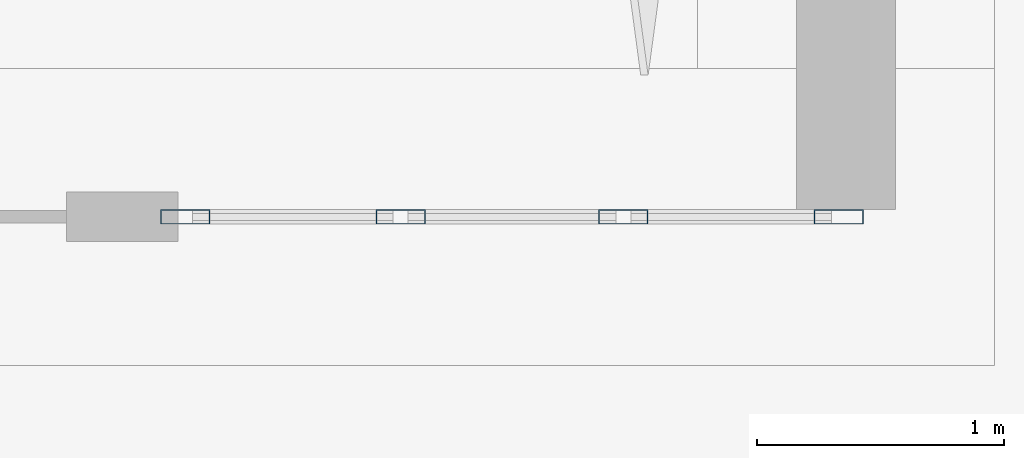
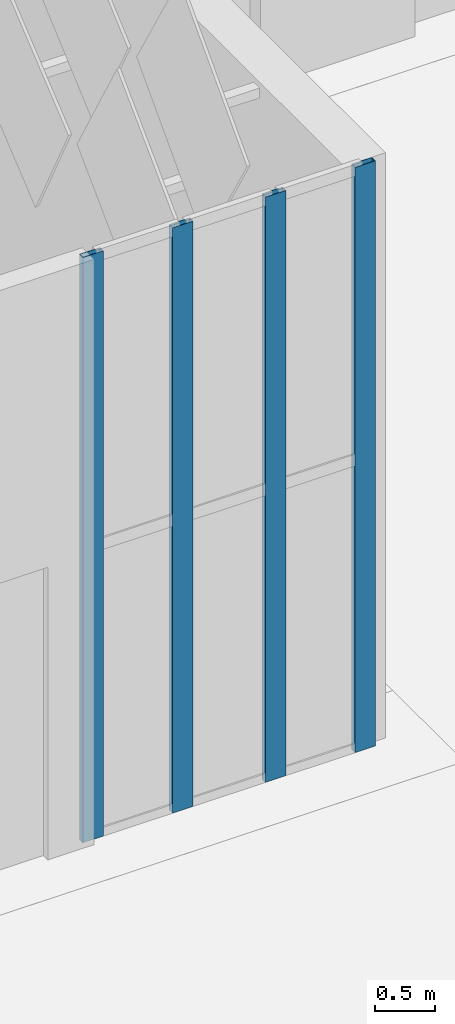
# One storey, part 48 of 198: 4 members, 1 element without a shape of its own.
"""IFC4 building model written with IfcOpenShell, lengths in metres."""

from ifc_helpers import new_model, si_unit, direction, frame, origin, origin_2d, place, context, subcontext, project, spatial, hollow_rectangle, extrude, material, layer, layer_set, material_profile, profile_set, type_object, element, aggregate, save


model = new_model("IFC4")

# Units and contexts
model_context = context("Model", 3, precision=1e-05, world=origin(), true_north=direction((0.0, 1.0)))
body_context = subcontext(model_context, "Body", "Model", "MODEL_VIEW")
ifc_project = project(units=[si_unit("LENGTHUNIT", "METRE"), si_unit("AREAUNIT", "SQUARE_METRE"), si_unit("VOLUMEUNIT", "CUBIC_METRE"), si_unit("PLANEANGLEUNIT", "RADIAN"), si_unit("MASSUNIT", "GRAM", prefix="KILO")], contexts=[model_context])

# Site, building, storey
site_placement = place(None, origin())
site = spatial("IfcSite", under=ifc_project, at=site_placement, CompositionType="ELEMENT")
building_placement = place(site_placement, origin())
building = spatial("IfcBuilding", under=site, at=building_placement, Name="Opaline Strait Convention Centre", CompositionType="ELEMENT")
storey_placement = place(building_placement, origin())
storey = spatial("IfcBuildingStorey", under=building, at=storey_placement, Name="L00", CompositionType="ELEMENT", Elevation=0.0)

# Curtain wall, members
ifc_material_1 = material(Name="Aluminium framed glazing", Category="aluminium")
ifc_layer = layer(ifc_material_1, 0.199951171875)
ifc_layer_set = layer_set([ifc_layer], Name="Aluminium framed glazing")
curtain_wall_type = type_object("IfcCurtainWallType", Name="Entrance curtain wall 1500", PredefinedType="NOTDEFINED", material=ifc_layer_set)
curtain_wall_placement = place(storey_placement, origin())
curtain_wall = element("IfcCurtainWall", 1, at=curtain_wall_placement, inside=storey, type_object=curtain_wall_type, Name="Entrance curtain wall L00-E2", PredefinedType="NOTDEFINED")
ifc_material_2 = material(Name="Aluminium alloy 6063", Category="aluminium")
ifc_material_profile = material_profile(ifc_material_2, hollow_rectangle(XDim=0.06005859375, YDim=0.199951171875, WallThickness=0.00390625, at=origin_2d()), Name="MULLION 60x200x4")
ifc_profile_set = profile_set([ifc_material_profile], Name="Aluminium alloy 6063")
member_type = type_object("IfcMemberType", Name="Curtain wall mullion 60 x 200", PredefinedType="MULLION", material=ifc_profile_set)
member_1_placement = place(storey_placement, frame((204.330078125, 144.0, 0.0), z_axis=(0.0, 0.0, 1.0), x_axis=(0.0, 1.0, 0.0)))
member_1 = element("IfcMember", 2, at=member_1_placement, type_object=member_type, Name="XCW mullion 1", PredefinedType="MULLION", context=body_context, shape_type="SweptSolid", body=[
    extrude(hollow_rectangle(XDim=0.06005859375, YDim=0.199951171875, WallThickness=0.00390625, at=origin_2d()), origin(), (0.0, 0.0, 1.0), 6.0),
])
member_2_placement = place(storey_placement, frame((205.199951171875, 144.0, 0.0), z_axis=(0.0, 0.0, 1.0), x_axis=(0.0, 1.0, 0.0)))
member_2 = element("IfcMember", 3, at=member_2_placement, type_object=member_type, Name="XCW mullion 2", PredefinedType="MULLION", context=body_context, shape_type="SweptSolid", body=[
    extrude(hollow_rectangle(XDim=0.06005859375, YDim=0.199951171875, WallThickness=0.00390625, at=origin_2d()), origin(), (0.0, 0.0, 1.0), 6.0),
])
member_3_placement = place(storey_placement, frame((206.10009765625, 144.0, 0.0), z_axis=(0.0, 0.0, 1.0), x_axis=(0.0, 1.0, 0.0)))
member_3 = element("IfcMember", 4, at=member_3_placement, type_object=member_type, Name="XCW mullion 3", PredefinedType="MULLION", context=body_context, shape_type="SweptSolid", body=[
    extrude(hollow_rectangle(XDim=0.06005859375, YDim=0.199951171875, WallThickness=0.00390625, at=origin_2d()), origin(), (0.0, 0.0, 1.0), 6.0),
])
member_4_placement = place(storey_placement, frame((206.969970703125, 144.0, 0.0), z_axis=(0.0, 0.0, 1.0), x_axis=(0.0, 1.0, 0.0)))
member_4 = element("IfcMember", 5, at=member_4_placement, type_object=member_type, Name="XCW mullion 4", PredefinedType="MULLION", context=body_context, shape_type="SweptSolid", body=[
    extrude(hollow_rectangle(XDim=0.06005859375, YDim=0.199951171875, WallThickness=0.00390625, at=origin_2d()), origin(), (0.0, 0.0, 1.0), 6.0),
])
aggregate(curtain_wall, [member_1, member_2, member_3, member_4])

save(model, "model.ifc")
